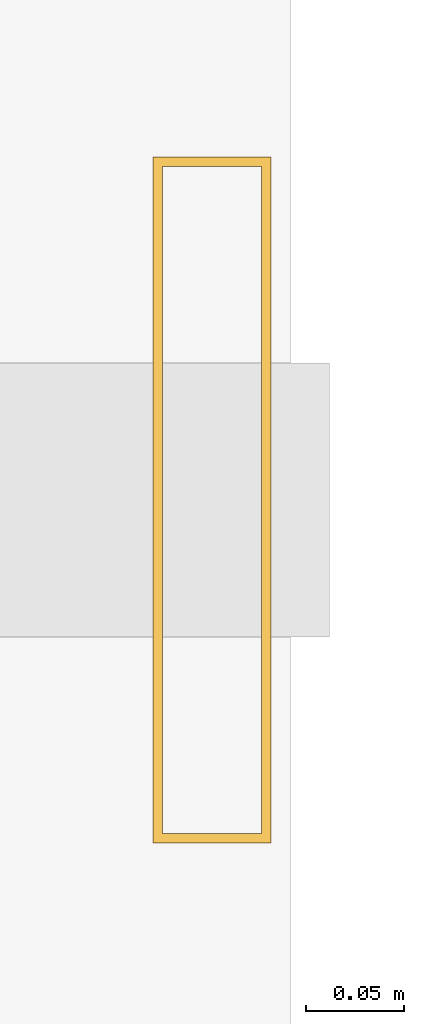
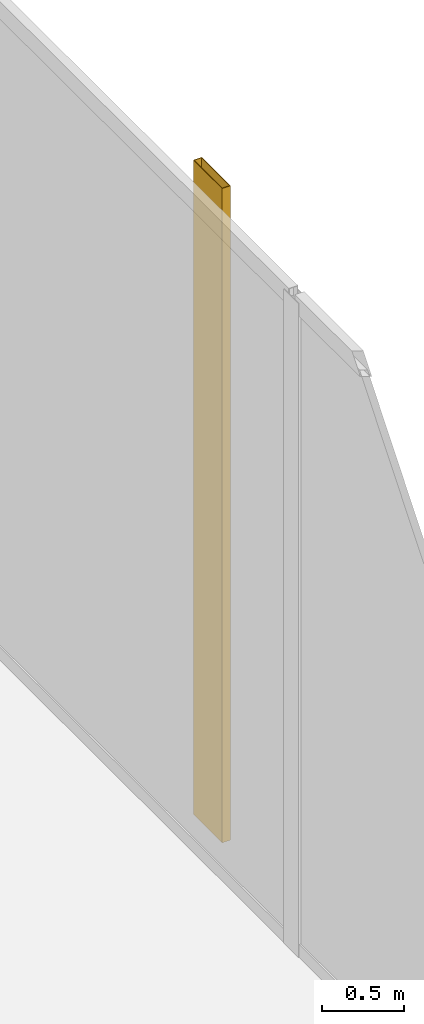
# One storey, part 37 of 37: 1 shading device.
"""IFC4 building model written with IfcOpenShell, lengths in metres."""

from ifc_helpers import new_model, si_unit, direction, frame, origin, origin_2d, place, context, subcontext, project, spatial, hollow_rectangle, extrude, material, material_profile, profile_set, type_object, element, save


model = new_model("IFC4")

# Units and contexts
model_context = context("Model", 3, precision=1e-05, world=origin(), true_north=direction((0.0, 1.0)))
body_context = subcontext(model_context, "Body", "Model", "MODEL_VIEW")
ifc_project = project(units=[si_unit("LENGTHUNIT", "METRE"), si_unit("AREAUNIT", "SQUARE_METRE"), si_unit("VOLUMEUNIT", "CUBIC_METRE"), si_unit("PLANEANGLEUNIT", "RADIAN"), si_unit("MASSUNIT", "GRAM", prefix="KILO")], contexts=[model_context])

# Site, building, storey
site_placement = place(None, origin())
site = spatial("IfcSite", under=ifc_project, at=site_placement, CompositionType="ELEMENT")
building_placement = place(site_placement, origin())
building = spatial("IfcBuilding", under=site, at=building_placement, Name="Kolvaren Waterfront Exchange", CompositionType="ELEMENT")
storey_placement = place(building_placement, frame((0.0, 0.0, 141.10009765625)))
storey = spatial("IfcBuildingStorey", under=building, at=storey_placement, Name="L36", CompositionType="ELEMENT", Elevation=141.10009765625)

# Shading device
ifc_material = material(Name="Anodised bronze aluminium 6063-T6", Category="aluminium")
ifc_material_profile = material_profile(ifc_material, hollow_rectangle(XDim=0.06005859375, YDim=0.35009765625, WallThickness=0.0048828125, at=origin_2d()), Name="BRZ-FIN-350x60x5")
ifc_profile_set = profile_set([ifc_material_profile], Name="Anodised bronze aluminium 6063-T6")
shading_device_type = type_object("IfcShadingDeviceType", Name="ARC-FIN-350", PredefinedType="USERDEFINED", material=ifc_profile_set)
shading_device_placement = place(storey_placement, frame((23.9599609375, 37.60009765625, 0.0), z_axis=(0.0, 0.0, 1.0), x_axis=(1.0, 0.0, 0.0)))
element("IfcShadingDevice", 1, at=shading_device_placement, inside=storey, type_object=shading_device_type, Name="L36 anodised bronze solar shading fin FIN-L36-E3", ObjectType="SOLAR FIN", PredefinedType="USERDEFINED", context=body_context, shape_type="SweptSolid", body=[
    extrude(hollow_rectangle(XDim=0.06005859375, YDim=0.35009765625, WallThickness=0.0048828125, at=origin_2d()), origin(), (0.0, 0.0, 1.0), 4.85986328125),
])

save(model, "model.ifc")
